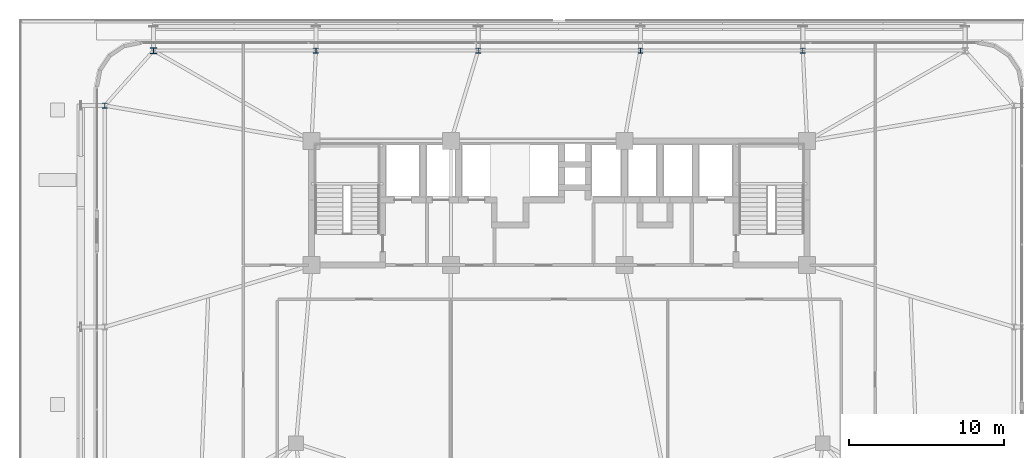
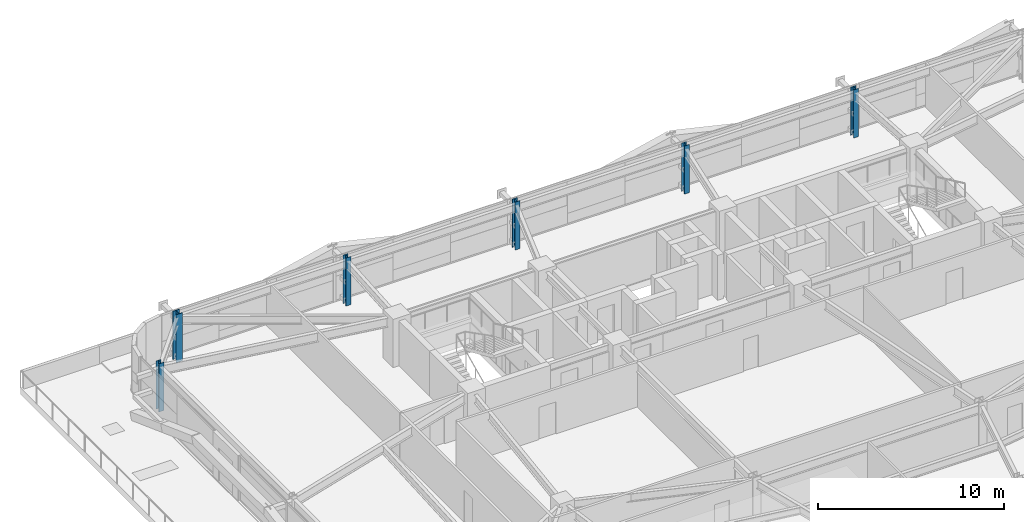
# One storey, part 3 of 56: 6 columns.
"""IFC4 building model written with IfcOpenShell, lengths in metres."""

from ifc_helpers import new_model, si_unit, direction, frame, origin, origin_2d, place, context, subcontext, project, spatial, i_section, extrude, source, transform, mapped, material, material_profile, profile_set, type_object, element, save


model = new_model("IFC4")

# Units and contexts
model_context = context("Model", 3, precision=1e-05, world=origin(), true_north=direction((0.0, 1.0)))
body_context = subcontext(model_context, "Body", "Model", "MODEL_VIEW")
ifc_project = project(units=[si_unit("LENGTHUNIT", "METRE"), si_unit("AREAUNIT", "SQUARE_METRE"), si_unit("VOLUMEUNIT", "CUBIC_METRE"), si_unit("PLANEANGLEUNIT", "RADIAN"), si_unit("MASSUNIT", "GRAM", prefix="KILO")], contexts=[model_context])

# Site, building, storey
site_placement = place(None, origin())
site = spatial("IfcSite", under=ifc_project, at=site_placement, CompositionType="ELEMENT")
building_placement = place(site_placement, origin())
building = spatial("IfcBuilding", under=site, at=building_placement, Name="Taldren Reach Tower", CompositionType="ELEMENT")
storey_placement = place(building_placement, frame((0.0, 0.0, 16.800048828125)))
storey = spatial("IfcBuildingStorey", under=building, at=storey_placement, Name="L04", CompositionType="ELEMENT", Elevation=16.800048828125)

# Columns
ifc_material = material(Name="Steel Gr 350 (350PLUS)", Category="steel")
ifc_material_profile_1 = material_profile(ifc_material, i_section(OverallWidth=0.39990234375, OverallDepth=0.39599609375, WebThickness=0.02197265625, FlangeThickness=0.033935546875, at=origin_2d()), Name="400WC270")
ifc_profile_set_1 = profile_set([ifc_material_profile_1], Name="Steel Gr 350 (350PLUS)")
column_type_1 = type_object("IfcColumnType", Name="COL-WC400", PredefinedType="COLUMN", material=ifc_profile_set_1)
shared_shape_1 = source(origin(), body_context, "Body", "SweptSolid", [
    extrude(i_section(OverallWidth=0.39990234375, OverallDepth=0.39599609375, WebThickness=0.02197265625, FlangeThickness=0.033935546875, at=origin_2d()), origin(), (0.0, 0.0, 1.0), 3.14990234375),
])
column_placement = place(storey_placement, frame((8.800048828125, 37.85009765625, 0.0), z_axis=(0.0, 0.0, 1.0), x_axis=(1.0, 0.0, 0.0)))
element("IfcColumn", 1, at=column_placement, inside=storey, type_object=column_type_1, Name="Block B1 perimeter column N1 L04", PredefinedType="COLUMN", context=body_context, shape_type="MappedRepresentation", body=[
    mapped(shared_shape_1, transform((0.0, 0.0, 0.0), scale=1.0)),
])
ifc_material_profile_2 = material_profile(ifc_material, i_section(OverallWidth=0.31103515625, OverallDepth=0.326904296875, WebThickness=0.015625, FlangeThickness=0.02490234375, at=origin_2d()), Name="310UC158")
ifc_profile_set_2 = profile_set([ifc_material_profile_2], Name="Steel Gr 350 (350PLUS)")
column_type_2 = type_object("IfcColumnType", Name="COL-UC310A", PredefinedType="COLUMN", material=ifc_profile_set_2)
shared_shape_2 = source(origin(), body_context, "Body", "SweptSolid", [
    extrude(i_section(OverallWidth=0.31103515625, OverallDepth=0.326904296875, WebThickness=0.015625, FlangeThickness=0.02490234375, at=origin_2d()), origin(), (0.0, 0.0, 1.0), 3.14990234375),
])
for number, where, z_axis, x_axis, name in (
    (2, (19.280029296875, 37.85009765625, 0.0), (0.0, 0.0, 1.0), (1.0, 0.0, 0.0), "Block B1 perimeter column N2 L04"),
    (3, (29.760009765625, 37.85009765625, 0.0), (0.0, 0.0, 1.0), (1.0, 0.0, 0.0), "Block B1 perimeter column N3 L04"),
    (4, (40.239990234375, 37.85009765625, 0.0), (0.0, 0.0, 1.0), (1.0, 0.0, 0.0), "Block B1 perimeter column N4 L04"),
    (5, (50.719970703125, 37.85009765625, 0.0), (0.0, 0.0, 1.0), (1.0, 0.0, 0.0), "Block B1 perimeter column N5 L04"),
    (6, (5.64990234375, 34.300048828125, 0.0), (0.0, 0.0, 1.0), (1.0, 0.0, 0.0), "Block B1 perimeter column W3 L04"),
):
    element("IfcColumn", number, at=place(storey_placement, frame(where, z_axis=z_axis, x_axis=x_axis)), inside=storey, type_object=column_type_2, Name=name, PredefinedType="COLUMN", context=body_context, shape_type="MappedRepresentation", body=[
        mapped(shared_shape_2, transform((0.0, 0.0, 0.0), scale=1.0)),
    ])

save(model, "model.ifc")
